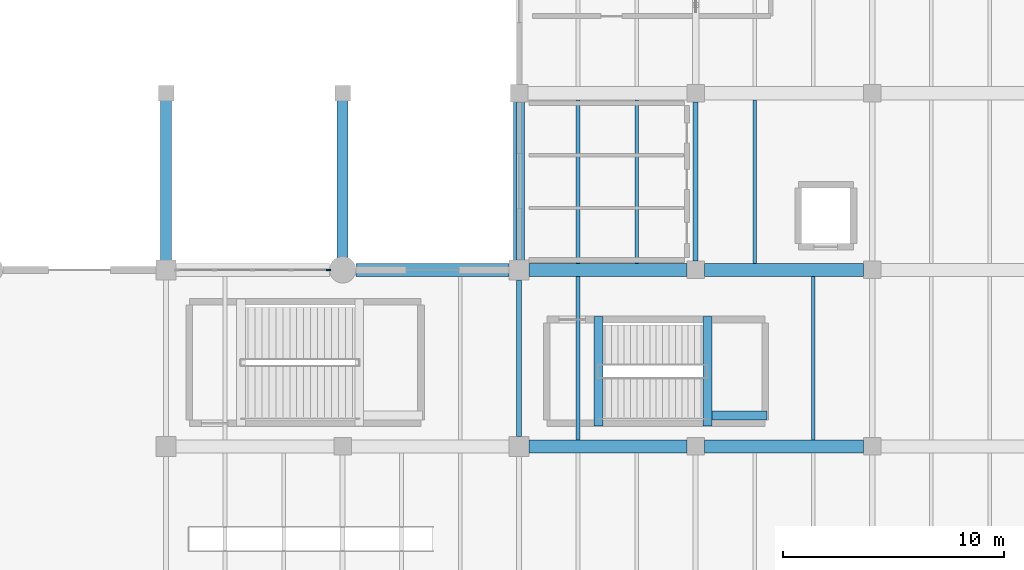
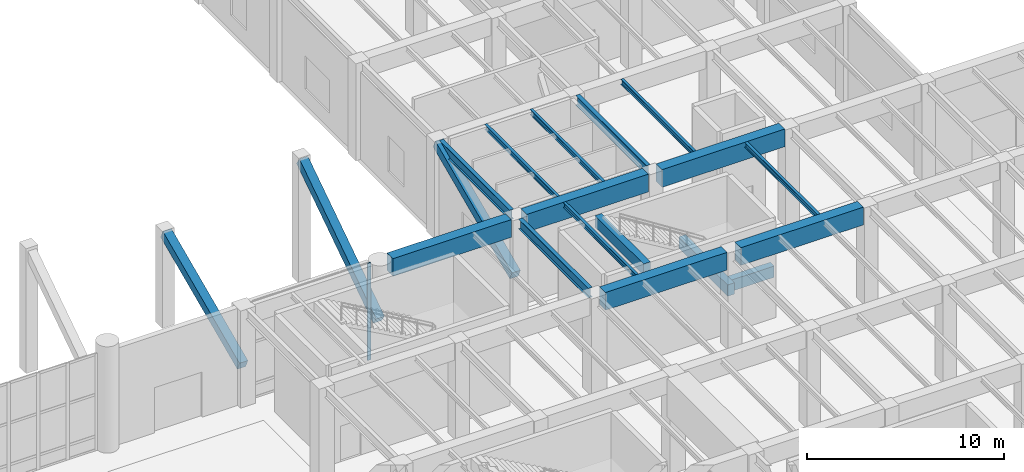
# One storey, part 19 of 51: 16 beams, 4 members, 1 element without a shape of its own.
"""IFC4 building model written with IfcOpenShell, lengths in metres."""

import ifcopenshell
import ifcopenshell.guid

model = None  # the IFC model being written
_history = None  # IfcOwnerHistory: only IFC2X3 demands one
_inside = {}  # id of a spatial element -> (the spatial element, [elements in it])
_under = {}  # id of a project, library or spatial element -> (it, [spatial elements below it])
_declared = {}  # id of a project -> (the project, [libraries it declares])
_typed = {}  # id of a type object -> (the type object, [elements of that type])
_made_of = {}  # id of a material, layer set ... -> (it, [elements and type objects made of it])


def new_model(schema):
    """Start an empty IFC model of exactly this schema.

    Asked for "IFC4X3", IfcOpenShell would pick the latest addendum, in which some entities
    have other attributes; the version numbers below select the first issue.
    IFC2X3 requires an IfcOwnerHistory on every rooted entity: one is made here for all.
    """
    global model, _history
    if schema == "IFC4X3":
        model = ifcopenshell.file(schema_version=(4, 3, 0, 0))
    else:
        model = ifcopenshell.file(schema=schema)
    _inside.clear()
    _under.clear()
    _declared.clear()
    _typed.clear()
    _made_of.clear()
    _history = None
    if model.schema == "IFC2X3":
        org = make("IfcOrganization", Name="unknown")
        user = make(
            "IfcPersonAndOrganization",
            ThePerson=make("IfcPerson", FamilyName="unknown"),
            TheOrganization=org,
        )
        app = make(
            "IfcApplication",
            ApplicationDeveloper=org,
            Version="unknown",
            ApplicationFullName="unknown",
            ApplicationIdentifier="unknown",
        )
        _history = make(
            "IfcOwnerHistory",
            OwningUser=user,
            OwningApplication=app,
            ChangeAction="ADDED",
            CreationDate=0,
        )
    return model


def make(cls, **values):
    """One entity of the class cls with the attributes given. An attribute that is None is left unset."""
    return model.create_entity(
        cls, **{name: value for name, value in values.items() if value is not None}
    )


def rooted(cls, **values):
    """An entity with a GlobalId (a new one), such as an element, a storey or a relation."""
    return make(cls, GlobalId=ifcopenshell.guid.new(), OwnerHistory=_history, **values)


def si_unit(unit_type, name, prefix=None):
    """IfcSIUnit, for example si_unit("LENGTHUNIT", "METRE", prefix="MILLI")."""
    return make("IfcSIUnit", UnitType=unit_type, Prefix=prefix, Name=name)


def assignment(units):
    """IfcUnitAssignment: the units of a project."""
    return None if units is None else make("IfcUnitAssignment", Units=units)


def point(xyz):
    """IfcCartesianPoint."""
    return None if xyz is None else make("IfcCartesianPoint", Coordinates=xyz)


def direction(xyz):
    """IfcDirection."""
    return None if xyz is None else make("IfcDirection", DirectionRatios=xyz)


def frame(location, z_axis=None, x_axis=None):
    """IfcAxis2Placement3D, a coordinate frame: its origin and axes. An axis left out is left unset."""
    return make(
        "IfcAxis2Placement3D",
        Location=point(location),
        Axis=direction(z_axis),
        RefDirection=direction(x_axis),
    )


def frame_2d(location, x_axis=None):
    """IfcAxis2Placement2D, a coordinate frame in the plane: its origin and x axis."""
    return make(
        "IfcAxis2Placement2D", Location=point(location), RefDirection=direction(x_axis)
    )


def origin():
    """The frame at (0, 0, 0) with its axes left unset."""
    return frame((0.0, 0.0, 0.0))


def origin_2d():
    """The frame at (0, 0) in the plane with its x axis left unset."""
    return frame_2d((0.0, 0.0))


def place(relative_to, where):
    """IfcLocalPlacement: puts the frame where relative to a parent placement (None: the world)."""
    return make(
        "IfcLocalPlacement", PlacementRelTo=relative_to, RelativePlacement=where
    )


def context(
    kind, dimensions, precision=None, world=None, true_north=None, identifier=None
):
    """IfcGeometricRepresentationContext, for example the 3D "Model" context."""
    return make(
        "IfcGeometricRepresentationContext",
        ContextIdentifier=identifier,
        ContextType=kind,
        CoordinateSpaceDimension=dimensions,
        Precision=precision,
        WorldCoordinateSystem=world,
        TrueNorth=true_north,
    )


def subcontext(parent, identifier, kind, view, scale=None):
    """IfcGeometricRepresentationSubContext, for example "Body" below "Model"."""
    return make(
        "IfcGeometricRepresentationSubContext",
        ContextIdentifier=identifier,
        ContextType=kind,
        ParentContext=parent,
        TargetScale=scale,
        TargetView=view,
    )


def project(units=None, contexts=None):
    """IfcProject with its units and contexts."""
    return rooted(
        "IfcProject",
        Name="project",
        RepresentationContexts=contexts,
        UnitsInContext=assignment(units),
    )


def spatial(cls, under=None, at=None, **own):
    """A site, building, storey or space (cls), placed at a placement, below another one or the project."""
    s = rooted(cls, ObjectPlacement=at, **own)
    if under is not None:
        _under.setdefault(under.id(), (under, []))[1].append(s)
    return s


def profile(cls, at=None, kind="AREA", **sizes):
    """A parametric profile (cls). Its sizes go by their IFC names, for example OverallWidth=200.0."""
    return make(cls, ProfileType=kind, Position=at, **sizes)


def rectangle(**sizes):
    """IfcRectangleProfileDef."""
    return profile("IfcRectangleProfileDef", **sizes)


def i_section(**sizes):
    """IfcIShapeProfileDef."""
    return profile("IfcIShapeProfileDef", **sizes)


def extrude(swept, where, along, depth):
    """IfcExtrudedAreaSolid: the profile swept, set in the frame where, extruded along a direction by depth."""
    return make(
        "IfcExtrudedAreaSolid",
        SweptArea=swept,
        Position=where,
        ExtrudedDirection=direction(along),
        Depth=depth,
    )


def shape(context_of_items, identifier, shape_type, items):
    """IfcShapeRepresentation: the items that make up one representation, for example the "Body"."""
    return make(
        "IfcShapeRepresentation",
        ContextOfItems=context_of_items,
        RepresentationIdentifier=identifier,
        RepresentationType=shape_type,
        Items=items,
    )


def material(Name=None, Category=None):
    """IfcMaterial."""
    return make("IfcMaterial", Name=Name, Category=Category)


def layer(
    of_material, thickness, ventilated=None, Name=None, Category=None, Priority=None
):
    """IfcMaterialLayer: one layer of a wall or slab, of a material (None: an air gap)."""
    return make(
        "IfcMaterialLayer",
        Material=of_material,
        LayerThickness=thickness,
        IsVentilated=ventilated,
        Name=Name,
        Category=Category,
        Priority=Priority,
    )


def layer_set(layers, Name=None):
    """IfcMaterialLayerSet."""
    return make("IfcMaterialLayerSet", MaterialLayers=layers, LayerSetName=Name)


def material_profile(
    of_material, cross_section, Name=None, Category=None, Priority=None
):
    """IfcMaterialProfile: a cross section and its material."""
    return make(
        "IfcMaterialProfile",
        Name=Name,
        Material=of_material,
        Profile=cross_section,
        Priority=Priority,
        Category=Category,
    )


def profile_set(profiles, Name=None, composite=None):
    """IfcMaterialProfileSet."""
    return make(
        "IfcMaterialProfileSet",
        Name=Name,
        MaterialProfiles=profiles,
        CompositeProfile=composite,
    )


def made_of(thing, what):
    """Note that an element or type object is made of a material, layer set ...; save() writes the relation."""
    if what is not None:
        _made_of.setdefault(what.id(), (what, []))[1].append(thing)
    return thing


def type_object(cls, material=None, **own):
    """A type object (cls), such as IfcWallType, which elements share."""
    return made_of(rooted(cls, **own), material)


def element(
    cls,
    number,
    at=None,
    inside=None,
    cuts=None,
    type_object=None,
    material=None,
    context=None,
    identifier="Body",
    shape_type=None,
    held_by="IfcProductDefinitionShape",
    body=None,
    shapes=None,
    **own,
):
    """One element of the class cls, such as IfcWall. Its Tag is "e" and its number.

    at: its placement. inside: the storey or other place that contains it. cuts: it is an
    opening in that element (IfcRelVoidsElement). A single representation is given by context,
    identifier, shape_type and body (its items); several are given by shapes. held_by: the class
    of the entity that holds the representations. save() writes the other relations.
    """
    e = rooted(cls, Tag="e%d" % number, ObjectPlacement=at, **own)
    if body is not None:
        shapes = [shape(context, identifier, shape_type, body)]
    if shapes is not None:
        e.Representation = make(held_by, Representations=shapes)
    if inside is not None:
        _inside.setdefault(inside.id(), (inside, []))[1].append(e)
    if cuts is not None:
        rooted(
            "IfcRelVoidsElement", RelatingBuildingElement=cuts, RelatedOpeningElement=e
        )
    if type_object is not None:
        _typed.setdefault(type_object.id(), (type_object, []))[1].append(e)
    return made_of(e, material)


def aggregate(whole, parts):
    """IfcRelAggregates: a whole, such as a stair, and the parts it consists of."""
    return rooted("IfcRelAggregates", RelatingObject=whole, RelatedObjects=parts)


def save(model, path):
    """Write the relations noted so far, then the file.

    IfcRelAggregates (storeys below a building ...), IfcRelContainedInSpatialStructure (elements
    in a storey), IfcRelDefinesByType, IfcRelAssociatesMaterial and IfcRelDeclares: one each for
    every whole, place, type object, material and project.
    """
    for whole, parts in _under.values():
        aggregate(whole, parts)
    for where, things in _inside.values():
        rooted(
            "IfcRelContainedInSpatialStructure",
            RelatedElements=things,
            RelatingStructure=where,
        )
    for kind, things in _typed.values():
        rooted("IfcRelDefinesByType", RelatedObjects=things, RelatingType=kind)
    for what, things in _made_of.values():
        rooted("IfcRelAssociatesMaterial", RelatedObjects=things, RelatingMaterial=what)
    for by, libraries in _declared.values():
        rooted("IfcRelDeclares", RelatingContext=by, RelatedDefinitions=libraries)
    model.write(path)


model = new_model("IFC4")

# Units and contexts
model_context = context("Model", 3, precision=1e-05, world=origin(), true_north=direction((0.0, 1.0)))
body_context = subcontext(model_context, "Body", "Model", "MODEL_VIEW")
ifc_project = project(units=[si_unit("LENGTHUNIT", "METRE"), si_unit("AREAUNIT", "SQUARE_METRE"), si_unit("VOLUMEUNIT", "CUBIC_METRE"), si_unit("PLANEANGLEUNIT", "RADIAN"), si_unit("MASSUNIT", "GRAM", prefix="KILO")], contexts=[model_context])

# Site, building, storey
site_placement = place(None, origin())
site = spatial("IfcSite", under=ifc_project, at=site_placement, CompositionType="ELEMENT")
building_placement = place(site_placement, origin())
building = spatial("IfcBuilding", under=site, at=building_placement, Name="Varnela Railside Interchange", CompositionType="ELEMENT")
storey_placement = place(building_placement, origin())
storey = spatial("IfcBuildingStorey", under=building, at=storey_placement, Name="L00", CompositionType="ELEMENT", Elevation=0.0)

# Beams
ifc_material_1 = material(Name="Steel AR 350 (350 MPa)", Category="steel")
ifc_material_profile_1 = material_profile(ifc_material_1, i_section(OverallWidth=0.1669921875, OverallDepth=0.31689453125, WebThickness=0.007568359375, FlangeThickness=0.01318359375, at=origin_2d()), Name="W310x52")
ifc_profile_set_1 = profile_set([ifc_material_profile_1], Name="Steel AR 350 (350 MPa)")
beam_type_1 = type_object("IfcBeamType", Name="Composite Long-Span Joist J-03", PredefinedType="JOIST", material=ifc_profile_set_1)
for number, where, z_axis, x_axis, name in (
    (1, (118.669921875, 54.300048828125, 5.861572265625), (0.0, 1.0, 0.0), (-1.0, 0.0, 0.0), "Composite Long-Span Joist J-03 (L00) (BM-1064)"),
    (2, (118.669921875, 62.300048828125, 5.861572265625), (0.0, 1.0, 0.0), (-1.0, 0.0, 0.0), "Composite Long-Span Joist J-03 (L00) (BM-1065)"),
    (3, (121.330078125, 62.300048828125, 5.861572265625), (0.0, 1.0, 0.0), (-1.0, 0.0, 0.0), "Composite Long-Span Joist J-03 (L00) (BM-1066)"),
    (4, (129.330078125, 54.300048828125, 5.861572265625), (0.0, 1.0, 0.0), (-1.0, 0.0, 0.0), "Composite Long-Span Joist J-03 (L00) (BM-1078)"),
    (5, (126.669921875, 62.300048828125, 5.861572265625), (0.0, 1.0, 0.0), (-1.0, 0.0, 0.0), "Composite Long-Span Joist J-03 (L00) (BM-1079)"),
):
    element("IfcBeam", number, at=place(storey_placement, frame(where, z_axis=z_axis, x_axis=x_axis)), inside=storey, type_object=beam_type_1, Name=name, PredefinedType="JOIST", context=body_context, shape_type="SweptSolid", body=[
        extrude(i_section(OverallWidth=0.1669921875, OverallDepth=0.31689453125, WebThickness=0.007568359375, FlangeThickness=0.01318359375, at=origin_2d()), origin(), (0.0, 0.0, 1.0), 7.39990234375),
    ])
ifc_material_2 = material(Name="Concrete C50", Category="concrete")
ifc_material_profile_2 = material_profile(ifc_material_2, rectangle(XDim=0.60009765625, YDim=1.10009765625, at=origin_2d()), Name="RC 600x1100")
ifc_profile_set_2 = profile_set([ifc_material_profile_2], Name="Concrete C50")
beam_type_2 = type_object("IfcBeamType", Name="Concourse RC Girder B-06", PredefinedType="BEAM", material=ifc_profile_set_2)
beam_1_placement = place(storey_placement, frame((116.449951171875, 54.0, 5.469970703125), z_axis=(1.0, 0.0, 0.0), x_axis=(0.0, 1.0, 0.0)))
element("IfcBeam", 6, at=beam_1_placement, inside=storey, type_object=beam_type_2, Name="Concourse RC Girder B-06 (L00) (BM-1243)", PredefinedType="BEAM", context=body_context, shape_type="SweptSolid", body=[
    extrude(rectangle(XDim=0.60009765625, YDim=1.10009765625, at=origin_2d()), origin(), (0.0, 0.0, 1.0), 7.150146484375),
])
beam_2_placement = place(storey_placement, frame((124.39990234375, 54.0, 5.469970703125), z_axis=(1.0, 0.0, 0.0), x_axis=(0.0, 1.0, 0.0)))
element("IfcBeam", 7, at=beam_2_placement, inside=storey, type_object=beam_type_2, Name="Concourse RC Girder B-06 (L00) (BM-1244)", PredefinedType="BEAM", context=body_context, shape_type="SweptSolid", body=[
    extrude(rectangle(XDim=0.60009765625, YDim=1.10009765625, at=origin_2d()), origin(), (0.0, 0.0, 1.0), 7.2001953125),
])
beam_3_placement = place(storey_placement, frame((108.60009765625, 62.0, 5.469970703125), z_axis=(1.0, 0.0, 0.0), x_axis=(0.0, 1.0, 0.0)))
element("IfcBeam", 8, at=beam_3_placement, inside=storey, type_object=beam_type_2, Name="Concourse RC Girder B-06 (L00) (BM-1255)", PredefinedType="BEAM", context=body_context, shape_type="SweptSolid", body=[
    extrude(rectangle(XDim=0.60009765625, YDim=1.10009765625, at=origin_2d()), origin(), (0.0, 0.0, 1.0), 6.949951171875),
])
beam_4_placement = place(storey_placement, frame((116.449951171875, 62.0, 5.469970703125), z_axis=(1.0, 0.0, 0.0), x_axis=(0.0, 1.0, 0.0)))
element("IfcBeam", 9, at=beam_4_placement, inside=storey, type_object=beam_type_2, Name="Concourse RC Girder B-06 (L00) (BM-1256)", PredefinedType="BEAM", context=body_context, shape_type="SweptSolid", body=[
    extrude(rectangle(XDim=0.60009765625, YDim=1.10009765625, at=origin_2d()), origin(), (0.0, 0.0, 1.0), 7.150146484375),
])
beam_5_placement = place(storey_placement, frame((124.39990234375, 62.0, 5.469970703125), z_axis=(1.0, 0.0, 0.0), x_axis=(0.0, 1.0, 0.0)))
element("IfcBeam", 10, at=beam_5_placement, inside=storey, type_object=beam_type_2, Name="Concourse RC Girder B-06 (L00) (BM-1257)", PredefinedType="BEAM", context=body_context, shape_type="SweptSolid", body=[
    extrude(rectangle(XDim=0.60009765625, YDim=1.10009765625, at=origin_2d()), origin(), (0.0, 0.0, 1.0), 7.2001953125),
])
ifc_material_3 = material(Name="Concrete C40", Category="concrete")
ifc_material_profile_3 = material_profile(ifc_material_3, rectangle(XDim=0.39990234375, YDim=0.699951171875, at=origin_2d()), Name="RC 400x700")
ifc_profile_set_3 = profile_set([ifc_material_profile_3], Name="Concrete C40")
beam_type_3 = type_object("IfcBeamType", Name="Concrete Tie Beam B-01", PredefinedType="BEAM", material=ifc_profile_set_3)
for number, where, z_axis, x_axis, name in (
    (11, (119.60009765625, 54.919921875, 5.669921875), (0.0, 1.0, 0.0), (-1.0, 0.0, 0.0), "Concrete Tie Beam B-01 (L00) (BM-1449)"),
    (12, (124.530029296875, 54.919921875, 2.639892578125), (0.0, 1.0, 0.0), (-1.0, 0.0, 0.0), "Concrete Tie Beam B-01 (L00) (BM-1436)"),
):
    element("IfcBeam", number, at=place(storey_placement, frame(where, z_axis=z_axis, x_axis=x_axis)), inside=storey, type_object=beam_type_3, Name=name, PredefinedType="BEAM", context=body_context, shape_type="SweptSolid", body=[
        extrude(rectangle(XDim=0.39990234375, YDim=0.699951171875, at=origin_2d()), origin(), (0.0, 0.0, 1.0), 4.9599609375),
    ])
beam_6_placement = place(storey_placement, frame((124.72998046875, 55.39990234375, 2.639892578125), z_axis=(1.0, 0.0, 0.0), x_axis=(0.0, 1.0, 0.0)))
element("IfcBeam", 13, at=beam_6_placement, inside=storey, type_object=beam_type_3, Name="Concrete Tie Beam B-01 (L00) (BM-1423)", PredefinedType="BEAM", context=body_context, shape_type="SweptSolid", body=[
    extrude(rectangle(XDim=0.39990234375, YDim=0.699951171875, at=origin_2d()), origin(), (0.0, 0.0, 1.0), 2.489990234375),
])
ifc_material_profile_4 = material_profile(ifc_material_1, i_section(OverallWidth=0.22900390625, OverallDepth=0.612060546875, WebThickness=0.011962890625, FlangeThickness=0.01953125, at=origin_2d()), Name="W610x125")
ifc_profile_set_4 = profile_set([ifc_material_profile_4], Name="Steel AR 350 (350 MPa)")
beam_type_4 = type_object("IfcBeamType", Name="Podium Composite Girder B-15", PredefinedType="BEAM", material=ifc_profile_set_4)
beam_7_placement = place(storey_placement, frame((116.0, 54.449951171875, 5.714111328125), z_axis=(0.0, 1.0, 0.0), x_axis=(-1.0, 0.0, 0.0)))
element("IfcBeam", 14, at=beam_7_placement, inside=storey, type_object=beam_type_4, Name="Podium Composite Girder B-15 (L00) (BM-1314)", PredefinedType="BEAM", context=body_context, shape_type="SweptSolid", body=[
    extrude(i_section(OverallWidth=0.22900390625, OverallDepth=0.612060546875, WebThickness=0.011962890625, FlangeThickness=0.01953125, at=origin_2d()), origin(), (0.0, 0.0, 1.0), 7.10009765625),
])
beam_8_placement = place(storey_placement, frame((116.0, 62.449951171875, 5.714111328125), z_axis=(0.0, 1.0, 0.0), x_axis=(-1.0, 0.0, 0.0)))
element("IfcBeam", 15, at=beam_8_placement, inside=storey, type_object=beam_type_4, Name="Podium Composite Girder B-15 (L00) (BM-1315)", PredefinedType="BEAM", context=body_context, shape_type="SweptSolid", body=[
    extrude(i_section(OverallWidth=0.22900390625, OverallDepth=0.612060546875, WebThickness=0.011962890625, FlangeThickness=0.01953125, at=origin_2d()), origin(), (0.0, 0.0, 1.0), 7.150146484375),
])
beam_9_placement = place(storey_placement, frame((124.0, 62.39990234375, 5.714111328125), z_axis=(0.0, 1.0, 0.0), x_axis=(-1.0, 0.0, 0.0)))
element("IfcBeam", 16, at=beam_9_placement, inside=storey, type_object=beam_type_4, Name="Podium Composite Girder B-15 (L00) (BM-1321)", PredefinedType="BEAM", context=body_context, shape_type="SweptSolid", body=[
    extrude(i_section(OverallWidth=0.22900390625, OverallDepth=0.612060546875, WebThickness=0.011962890625, FlangeThickness=0.01953125, at=origin_2d()), origin(), (0.0, 0.0, 1.0), 7.2001953125),
])

# Curtain wall, member
ifc_material_4 = material(Name="Aluminium 6063-T6", Category="aluminium")
ifc_layer = layer(ifc_material_4, 0.035888671875)
ifc_layer_set = layer_set([ifc_layer], Name="Aluminium 6063-T6")
curtain_wall_type = type_object("IfcCurtainWallType", Name="Arrival Forecourt Portal Curtain Wall CW-04", PredefinedType="USERDEFINED", material=ifc_layer_set)
curtain_wall_placement = place(storey_placement, origin())
curtain_wall = element("IfcCurtainWall", 17, at=curtain_wall_placement, inside=storey, type_object=curtain_wall_type, Name="Curtain Wall CW-04 (L00) (CW-009)", ObjectType="CURTAIN WALL", PredefinedType="USERDEFINED")
ifc_material_profile_5 = material_profile(ifc_material_4, rectangle(XDim=0.074951171875, YDim=0.199951171875, at=origin_2d()), Name="ALU 75x200")
ifc_profile_set_5 = profile_set([ifc_material_profile_5], Name="Aluminium 6063-T6")
member_type_1 = type_object("IfcMemberType", Name="Portal Heavy Mullion ML-04", PredefinedType="MULLION", material=ifc_profile_set_5)
member_1_placement = place(storey_placement, frame((107.362548828125, 62.0, 0.0), z_axis=(0.0, 0.0, 1.0), x_axis=(0.0, 1.0, 0.0)))
member_1 = element("IfcMember", 18, at=member_1_placement, type_object=member_type_1, Name="CW-04 mullion 5", PredefinedType="MULLION", context=body_context, shape_type="SweptSolid", body=[
    extrude(rectangle(XDim=0.074951171875, YDim=0.199951171875, at=origin_2d()), origin(), (0.0, 0.0, 1.0), 6.02001953125),
])
aggregate(curtain_wall, [member_1])

# Members
ifc_material_profile_6 = material_profile(ifc_material_2, rectangle(XDim=0.5, YDim=0.550048828125, at=origin_2d()), Name="RC 500x550")
ifc_profile_set_6 = profile_set([ifc_material_profile_6], Name="Concrete C50")
member_type_2 = type_object("IfcMemberType", Name="Sculpted V-Pier End Strut VP-02", PredefinedType="STRUT", material=ifc_profile_set_6)
member_2_placement = place(storey_placement, frame((100.0, 62.10009765625, 2.199951171875), z_axis=(0.0, 0.913664073607, 0.406470122642), x_axis=(-1.0, 0.0, 0.0)))
element("IfcMember", 19, at=member_2_placement, inside=storey, type_object=member_type_2, Name="Sculpted V-Pier End Strut VP-02 (L00) (MB-0041)", PredefinedType="STRUT", context=body_context, shape_type="SweptSolid", body=[
    extrude(rectangle(XDim=0.5, YDim=0.550048828125, at=origin_2d()), origin(), (0.0, 0.0, 1.0), 8.536865234375),
])
member_3_placement = place(storey_placement, frame((108.0, 62.10009765625, 2.199951171875), z_axis=(0.0, 0.832046287583, 0.554706206311), x_axis=(-1.0, 0.0, 0.0)))
element("IfcMember", 20, at=member_3_placement, inside=storey, type_object=member_type_2, Name="Sculpted V-Pier End Strut VP-02 (L00) (MB-0042)", PredefinedType="STRUT", context=body_context, shape_type="SweptSolid", body=[
    extrude(rectangle(XDim=0.5, YDim=0.550048828125, at=origin_2d()), origin(), (0.0, 0.0, 1.0), 9.374267578125),
])
member_4_placement = place(storey_placement, frame((116.0, 62.10009765625, 2.199951171875), z_axis=(0.0, 0.913664073607, 0.406470122642), x_axis=(-1.0, 0.0, 0.0)))
element("IfcMember", 21, at=member_4_placement, inside=storey, type_object=member_type_2, Name="Sculpted V-Pier End Strut VP-02 (L00) (MB-0043)", PredefinedType="STRUT", context=body_context, shape_type="SweptSolid", body=[
    extrude(rectangle(XDim=0.5, YDim=0.550048828125, at=origin_2d()), origin(), (0.0, 0.0, 1.0), 8.536865234375),
])

save(model, "model.ifc")
